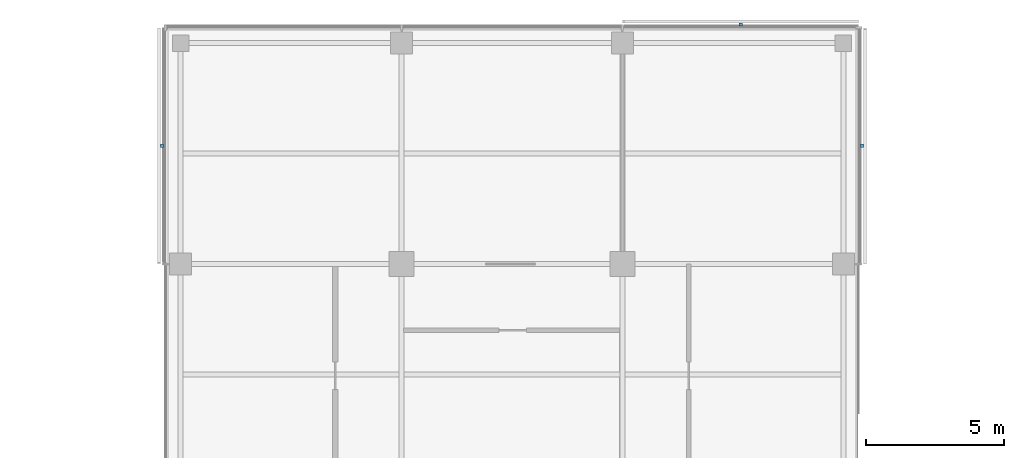
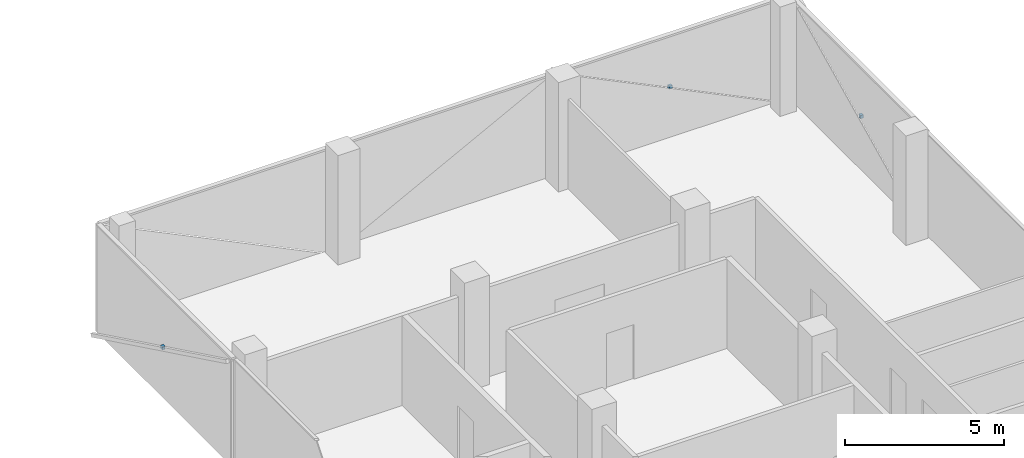
# One storey, part 14 of 15: 3 discrete accessories.
"""IFC4 building model written with IfcOpenShell, lengths in metres."""

import ifcopenshell
import ifcopenshell.guid

model = None  # the IFC model being written
_history = None  # IfcOwnerHistory: only IFC2X3 demands one
_inside = {}  # id of a spatial element -> (the spatial element, [elements in it])
_under = {}  # id of a project, library or spatial element -> (it, [spatial elements below it])
_declared = {}  # id of a project -> (the project, [libraries it declares])
_typed = {}  # id of a type object -> (the type object, [elements of that type])
_made_of = {}  # id of a material, layer set ... -> (it, [elements and type objects made of it])


def new_model(schema):
    """Start an empty IFC model of exactly this schema.

    Asked for "IFC4X3", IfcOpenShell would pick the latest addendum, in which some entities
    have other attributes; the version numbers below select the first issue.
    IFC2X3 requires an IfcOwnerHistory on every rooted entity: one is made here for all.
    """
    global model, _history
    if schema == "IFC4X3":
        model = ifcopenshell.file(schema_version=(4, 3, 0, 0))
    else:
        model = ifcopenshell.file(schema=schema)
    _inside.clear()
    _under.clear()
    _declared.clear()
    _typed.clear()
    _made_of.clear()
    _history = None
    if model.schema == "IFC2X3":
        org = make("IfcOrganization", Name="unknown")
        user = make(
            "IfcPersonAndOrganization",
            ThePerson=make("IfcPerson", FamilyName="unknown"),
            TheOrganization=org,
        )
        app = make(
            "IfcApplication",
            ApplicationDeveloper=org,
            Version="unknown",
            ApplicationFullName="unknown",
            ApplicationIdentifier="unknown",
        )
        _history = make(
            "IfcOwnerHistory",
            OwningUser=user,
            OwningApplication=app,
            ChangeAction="ADDED",
            CreationDate=0,
        )
    return model


def make(cls, **values):
    """One entity of the class cls with the attributes given. An attribute that is None is left unset."""
    return model.create_entity(
        cls, **{name: value for name, value in values.items() if value is not None}
    )


def rooted(cls, **values):
    """An entity with a GlobalId (a new one), such as an element, a storey or a relation."""
    return make(cls, GlobalId=ifcopenshell.guid.new(), OwnerHistory=_history, **values)


def si_unit(unit_type, name, prefix=None):
    """IfcSIUnit, for example si_unit("LENGTHUNIT", "METRE", prefix="MILLI")."""
    return make("IfcSIUnit", UnitType=unit_type, Prefix=prefix, Name=name)


def assignment(units):
    """IfcUnitAssignment: the units of a project."""
    return None if units is None else make("IfcUnitAssignment", Units=units)


def point(xyz):
    """IfcCartesianPoint."""
    return None if xyz is None else make("IfcCartesianPoint", Coordinates=xyz)


def direction(xyz):
    """IfcDirection."""
    return None if xyz is None else make("IfcDirection", DirectionRatios=xyz)


def frame(location, z_axis=None, x_axis=None):
    """IfcAxis2Placement3D, a coordinate frame: its origin and axes. An axis left out is left unset."""
    return make(
        "IfcAxis2Placement3D",
        Location=point(location),
        Axis=direction(z_axis),
        RefDirection=direction(x_axis),
    )


def frame_2d(location, x_axis=None):
    """IfcAxis2Placement2D, a coordinate frame in the plane: its origin and x axis."""
    return make(
        "IfcAxis2Placement2D", Location=point(location), RefDirection=direction(x_axis)
    )


def origin():
    """The frame at (0, 0, 0) with its axes left unset."""
    return frame((0.0, 0.0, 0.0))


def origin_2d():
    """The frame at (0, 0) in the plane with its x axis left unset."""
    return frame_2d((0.0, 0.0))


def place(relative_to, where):
    """IfcLocalPlacement: puts the frame where relative to a parent placement (None: the world)."""
    return make(
        "IfcLocalPlacement", PlacementRelTo=relative_to, RelativePlacement=where
    )


def context(
    kind, dimensions, precision=None, world=None, true_north=None, identifier=None
):
    """IfcGeometricRepresentationContext, for example the 3D "Model" context."""
    return make(
        "IfcGeometricRepresentationContext",
        ContextIdentifier=identifier,
        ContextType=kind,
        CoordinateSpaceDimension=dimensions,
        Precision=precision,
        WorldCoordinateSystem=world,
        TrueNorth=true_north,
    )


def subcontext(parent, identifier, kind, view, scale=None):
    """IfcGeometricRepresentationSubContext, for example "Body" below "Model"."""
    return make(
        "IfcGeometricRepresentationSubContext",
        ContextIdentifier=identifier,
        ContextType=kind,
        ParentContext=parent,
        TargetScale=scale,
        TargetView=view,
    )


def project(units=None, contexts=None):
    """IfcProject with its units and contexts."""
    return rooted(
        "IfcProject",
        Name="project",
        RepresentationContexts=contexts,
        UnitsInContext=assignment(units),
    )


def spatial(cls, under=None, at=None, **own):
    """A site, building, storey or space (cls), placed at a placement, below another one or the project."""
    s = rooted(cls, ObjectPlacement=at, **own)
    if under is not None:
        _under.setdefault(under.id(), (under, []))[1].append(s)
    return s


def profile(cls, at=None, kind="AREA", **sizes):
    """A parametric profile (cls). Its sizes go by their IFC names, for example OverallWidth=200.0."""
    return make(cls, ProfileType=kind, Position=at, **sizes)


def rectangle(**sizes):
    """IfcRectangleProfileDef."""
    return profile("IfcRectangleProfileDef", **sizes)


def extrude(swept, where, along, depth):
    """IfcExtrudedAreaSolid: the profile swept, set in the frame where, extruded along a direction by depth."""
    return make(
        "IfcExtrudedAreaSolid",
        SweptArea=swept,
        Position=where,
        ExtrudedDirection=direction(along),
        Depth=depth,
    )


def shape(context_of_items, identifier, shape_type, items):
    """IfcShapeRepresentation: the items that make up one representation, for example the "Body"."""
    return make(
        "IfcShapeRepresentation",
        ContextOfItems=context_of_items,
        RepresentationIdentifier=identifier,
        RepresentationType=shape_type,
        Items=items,
    )


def material(Name=None, Category=None):
    """IfcMaterial."""
    return make("IfcMaterial", Name=Name, Category=Category)


def made_of(thing, what):
    """Note that an element or type object is made of a material, layer set ...; save() writes the relation."""
    if what is not None:
        _made_of.setdefault(what.id(), (what, []))[1].append(thing)
    return thing


def type_object(cls, material=None, **own):
    """A type object (cls), such as IfcWallType, which elements share."""
    return made_of(rooted(cls, **own), material)


def element(
    cls,
    number,
    at=None,
    inside=None,
    cuts=None,
    type_object=None,
    material=None,
    context=None,
    identifier="Body",
    shape_type=None,
    held_by="IfcProductDefinitionShape",
    body=None,
    shapes=None,
    **own,
):
    """One element of the class cls, such as IfcWall. Its Tag is "e" and its number.

    at: its placement. inside: the storey or other place that contains it. cuts: it is an
    opening in that element (IfcRelVoidsElement). A single representation is given by context,
    identifier, shape_type and body (its items); several are given by shapes. held_by: the class
    of the entity that holds the representations. save() writes the other relations.
    """
    e = rooted(cls, Tag="e%d" % number, ObjectPlacement=at, **own)
    if body is not None:
        shapes = [shape(context, identifier, shape_type, body)]
    if shapes is not None:
        e.Representation = make(held_by, Representations=shapes)
    if inside is not None:
        _inside.setdefault(inside.id(), (inside, []))[1].append(e)
    if cuts is not None:
        rooted(
            "IfcRelVoidsElement", RelatingBuildingElement=cuts, RelatedOpeningElement=e
        )
    if type_object is not None:
        _typed.setdefault(type_object.id(), (type_object, []))[1].append(e)
    return made_of(e, material)


def aggregate(whole, parts):
    """IfcRelAggregates: a whole, such as a stair, and the parts it consists of."""
    return rooted("IfcRelAggregates", RelatingObject=whole, RelatedObjects=parts)


def save(model, path):
    """Write the relations noted so far, then the file.

    IfcRelAggregates (storeys below a building ...), IfcRelContainedInSpatialStructure (elements
    in a storey), IfcRelDefinesByType, IfcRelAssociatesMaterial and IfcRelDeclares: one each for
    every whole, place, type object, material and project.
    """
    for whole, parts in _under.values():
        aggregate(whole, parts)
    for where, things in _inside.values():
        rooted(
            "IfcRelContainedInSpatialStructure",
            RelatedElements=things,
            RelatingStructure=where,
        )
    for kind, things in _typed.values():
        rooted("IfcRelDefinesByType", RelatedObjects=things, RelatingType=kind)
    for what, things in _made_of.values():
        rooted("IfcRelAssociatesMaterial", RelatedObjects=things, RelatingMaterial=what)
    for by, libraries in _declared.values():
        rooted("IfcRelDeclares", RelatingContext=by, RelatedDefinitions=libraries)
    model.write(path)


model = new_model("IFC4")

# Units and contexts
model_context = context("Model", 3, precision=1e-05, world=origin(), true_north=direction((0.0, 1.0)))
body_context = subcontext(model_context, "Body", "Model", "MODEL_VIEW")
ifc_project = project(units=[si_unit("LENGTHUNIT", "METRE"), si_unit("AREAUNIT", "SQUARE_METRE"), si_unit("VOLUMEUNIT", "CUBIC_METRE"), si_unit("PLANEANGLEUNIT", "RADIAN"), si_unit("MASSUNIT", "GRAM", prefix="KILO")], contexts=[model_context])

# Site, building, storey
site_placement = place(None, origin())
site = spatial("IfcSite", under=ifc_project, at=site_placement, CompositionType="ELEMENT")
building_placement = place(site_placement, origin())
building = spatial("IfcBuilding", under=site, at=building_placement, Name="Crosswind Convention Tower", CompositionType="ELEMENT")
storey_placement = place(building_placement, frame((0.0, 0.0, 229.300048828125)))
storey = spatial("IfcBuildingStorey", under=building, at=storey_placement, Name="L49", CompositionType="ELEMENT", Elevation=229.300048828125)

# Discrete accessories
ifc_material = material(Name="Stainless steel", Category="steel")
discrete_accessory_type = type_object("IfcDiscreteAccessoryType", Name="BAGUETTE BRACKET BK3", PredefinedType="BRACKET", material=ifc_material)
for number, where, z_axis, x_axis, name in (
    (1, (137.676025390625, 124.280029296875, 1.704833984375), (0.0, 0.0, 1.0), (0.0, 1.0, 0.0), "BK3 baguette bracket"),
    (2, (133.280029296875, 128.676025390625, 1.704833984375), (0.0, 0.0, 1.0), (-1.0, 0.0, 0.0), "BK3 baguette bracket"),
    (3, (112.323974609375, 124.280029296875, 1.704833984375), (0.0, 0.0, 1.0), (0.0, -1.0, 0.0), "BK3 baguette bracket"),
):
    element("IfcDiscreteAccessory", number, at=place(storey_placement, frame(where, z_axis=z_axis, x_axis=x_axis)), inside=storey, type_object=discrete_accessory_type, Name=name, PredefinedType="BRACKET", context=body_context, shape_type="SweptSolid", body=[
        extrude(rectangle(XDim=0.1201171875, YDim=0.10009765625, at=origin_2d()), origin(), (0.0, 0.0, 1.0), 0.1201171875),
    ])

save(model, "model.ifc")
